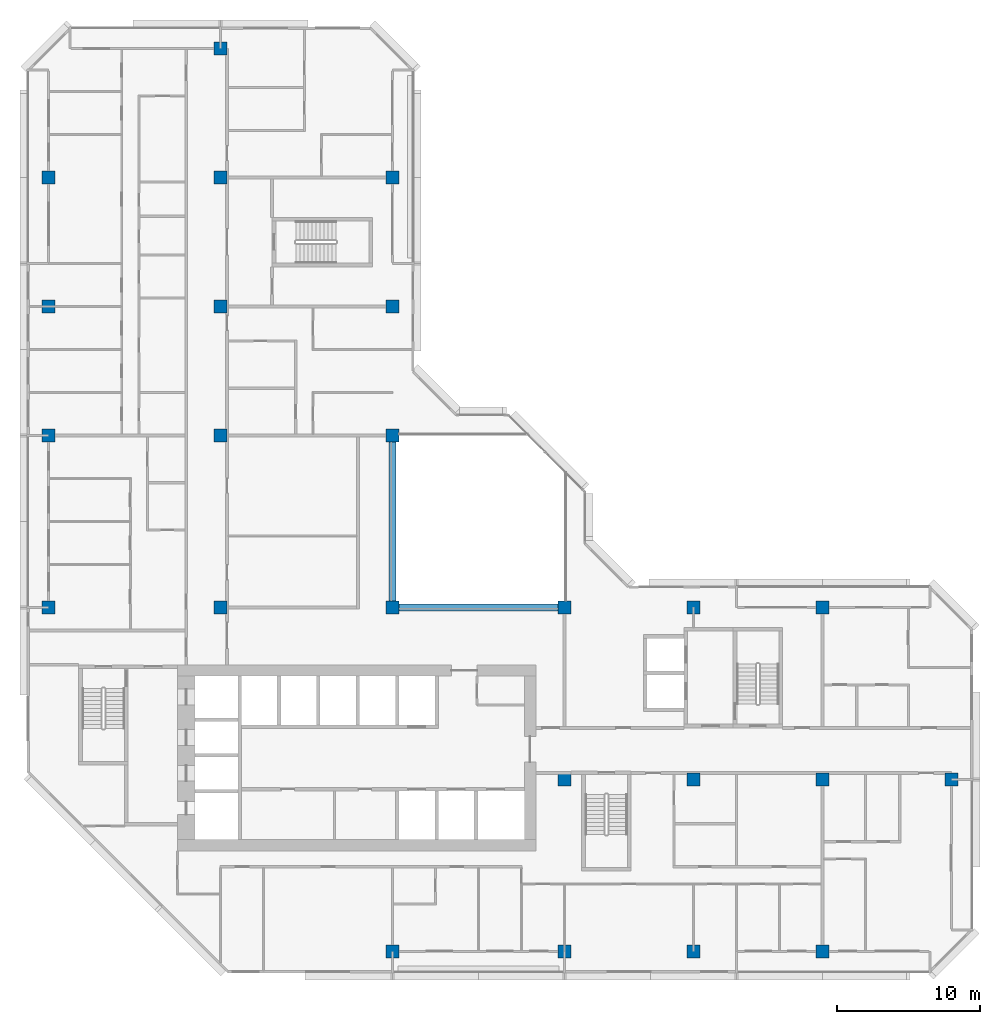
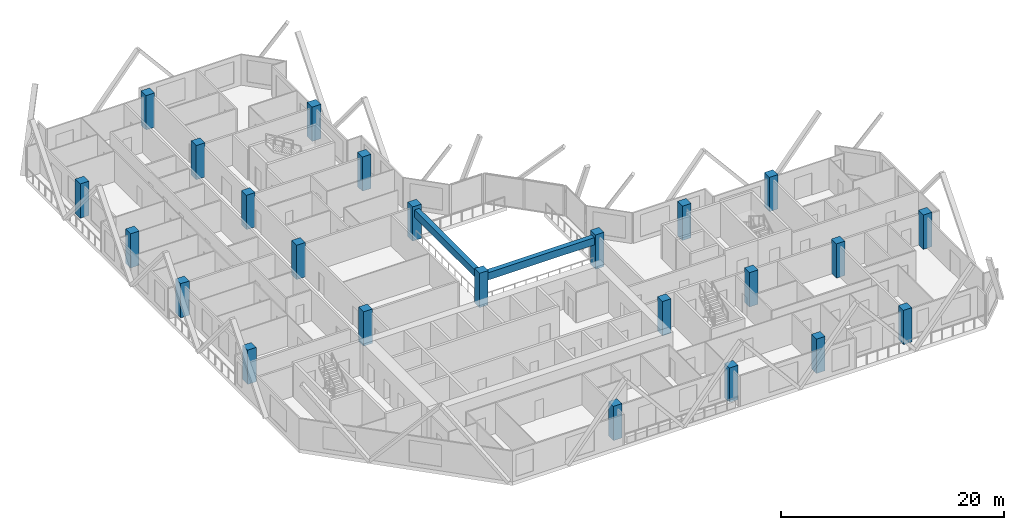
# One storey, part 1 of 14: 24 columns, 2 beams.
"""IFC4 building model written with IfcOpenShell, lengths in metres."""

from ifc_helpers import new_model, si_unit, direction, frame, origin, origin_2d, place, context, subcontext, project, spatial, rectangle, extrude, material, material_profile, profile_set, type_object, element, save


model = new_model("IFC4")

# Units and contexts
model_context = context("Model", 3, precision=1e-05, world=origin(), true_north=direction((0.0, 1.0)))
body_context = subcontext(model_context, "Body", "Model", "MODEL_VIEW")
ifc_project = project(units=[si_unit("LENGTHUNIT", "METRE"), si_unit("AREAUNIT", "SQUARE_METRE"), si_unit("VOLUMEUNIT", "CUBIC_METRE"), si_unit("PLANEANGLEUNIT", "RADIAN"), si_unit("MASSUNIT", "GRAM", prefix="KILO")], contexts=[model_context])

# Site, building, storey
site_placement = place(None, origin())
site = spatial("IfcSite", under=ifc_project, at=site_placement, CompositionType="ELEMENT")
building_placement = place(site_placement, origin())
building = spatial("IfcBuilding", under=site, at=building_placement, Name="Chenar Terraces", CompositionType="ELEMENT")
storey_placement = place(building_placement, frame((0.0, 0.0, 157.39990234375)))
storey = spatial("IfcBuildingStorey", under=building, at=storey_placement, Name="L35", CompositionType="ELEMENT", Elevation=157.39990234375)

# Columns
ifc_material_1 = material(Name="Concrete C60/75", Category="concrete")
ifc_material_profile_1 = material_profile(ifc_material_1, rectangle(XDim=0.89990234375, YDim=0.89990234375, at=origin_2d()), Name="C 900 x 900")
ifc_profile_set_1 = profile_set([ifc_material_profile_1], Name="Concrete C60/75")
column_type = type_object("IfcColumnType", Name="Column C 900 x 900 Concrete C60/75", PredefinedType="COLUMN", material=ifc_profile_set_1)
column_1_placement = place(storey_placement, frame((0.0, 24.0, 0.0), z_axis=(0.0, 0.0, 1.0), x_axis=(1.0, 0.0, 0.0)))
element("IfcColumn", 1, at=column_1_placement, inside=storey, type_object=column_type, Name="Column 5/G L35", PredefinedType="COLUMN", context=body_context, shape_type="SweptSolid", body=[
    extrude(rectangle(XDim=0.89990234375, YDim=0.89990234375, at=origin_2d()), origin(), (0.0, 0.0, 1.0), 3.75),
])
column_2_placement = place(storey_placement, frame((0.0, 36.0, 0.0), z_axis=(0.0, 0.0, 1.0), x_axis=(1.0, 0.0, 0.0)))
element("IfcColumn", 2, at=column_2_placement, inside=storey, type_object=column_type, Name="Column 5/H L35", PredefinedType="COLUMN", context=body_context, shape_type="SweptSolid", body=[
    extrude(rectangle(XDim=0.89990234375, YDim=0.89990234375, at=origin_2d()), origin(), (0.0, 0.0, 1.0), 3.75),
])
for number, where, z_axis, x_axis, name in (
    (3, (0.0, 45.0, 0.0), (0.0, 0.0, 1.0), (1.0, 0.0, 0.0), "Column 5/J L35"),
    (4, (0.0, 54.0, 0.0), (0.0, 0.0, 1.0), (1.0, 0.0, 0.0), "Column 5/K L35"),
    (5, (12.0, 24.0, 0.0), (0.0, 0.0, 1.0), (1.0, 0.0, 0.0), "Column 6/G L35"),
    (6, (12.0, 36.0, 0.0), (0.0, 0.0, 1.0), (1.0, 0.0, 0.0), "Column 6/H L35"),
    (7, (12.0, 45.0, 0.0), (0.0, 0.0, 1.0), (1.0, 0.0, 0.0), "Column 6/J L35"),
    (8, (12.0, 54.0, 0.0), (0.0, 0.0, 1.0), (1.0, 0.0, 0.0), "Column 6/K L35"),
    (9, (12.0, 63.0, 0.0), (0.0, 0.0, 1.0), (1.0, 0.0, 0.0), "Column 6/L L35"),
    (10, (24.0, 0.0, 0.0), (0.0, 0.0, 1.0), (1.0, 0.0, 0.0), "Column 7/E L35"),
    (11, (24.0, 24.0, 0.0), (0.0, 0.0, 1.0), (1.0, 0.0, 0.0), "Column 7/G L35"),
    (12, (24.0, 36.0, 0.0), (0.0, 0.0, 1.0), (1.0, 0.0, 0.0), "Column 7/H L35"),
    (13, (24.0, 45.0, 0.0), (0.0, 0.0, 1.0), (1.0, 0.0, 0.0), "Column 7/J L35"),
    (14, (24.0, 54.0, 0.0), (0.0, 0.0, 1.0), (1.0, 0.0, 0.0), "Column 7/K L35"),
    (15, (36.0, 0.0, 0.0), (0.0, 0.0, 1.0), (1.0, 0.0, 0.0), "Column 8/E L35"),
    (16, (36.0, 12.0, 0.0), (0.0, 0.0, 1.0), (1.0, 0.0, 0.0), "Column 8/F L35"),
    (17, (36.0, 24.0, 0.0), (0.0, 0.0, 1.0), (1.0, 0.0, 0.0), "Column 8/G L35"),
    (18, (45.0, 0.0, 0.0), (0.0, 0.0, 1.0), (1.0, 0.0, 0.0), "Column 9/E L35"),
    (19, (45.0, 12.0, 0.0), (0.0, 0.0, 1.0), (1.0, 0.0, 0.0), "Column 9/F L35"),
    (20, (45.0, 24.0, 0.0), (0.0, 0.0, 1.0), (1.0, 0.0, 0.0), "Column 9/G L35"),
    (21, (54.0, 0.0, 0.0), (0.0, 0.0, 1.0), (1.0, 0.0, 0.0), "Column 10/E L35"),
    (22, (54.0, 12.0, 0.0), (0.0, 0.0, 1.0), (1.0, 0.0, 0.0), "Column 10/F L35"),
    (23, (54.0, 24.0, 0.0), (0.0, 0.0, 1.0), (1.0, 0.0, 0.0), "Column 10/G L35"),
    (24, (63.0, 12.0, 0.0), (0.0, 0.0, 1.0), (1.0, 0.0, 0.0), "Column 11/F L35"),
):
    element("IfcColumn", number, at=place(storey_placement, frame(where, z_axis=z_axis, x_axis=x_axis)), inside=storey, type_object=column_type, Name=name, PredefinedType="COLUMN", context=body_context, shape_type="SweptSolid", body=[
        extrude(rectangle(XDim=0.89990234375, YDim=0.89990234375, at=origin_2d()), origin(), (0.0, 0.0, 1.0), 3.75),
    ])

# Beams
ifc_material_2 = material(Name="Concrete C40/50", Category="concrete")
ifc_material_profile_2 = material_profile(ifc_material_2, rectangle(XDim=0.5, YDim=0.800048828125, at=origin_2d()), Name="RC 500 x 800")
ifc_profile_set_2 = profile_set([ifc_material_profile_2], Name="Concrete C40/50")
beam_type = type_object("IfcBeamType", Name="Atrium edge beam 500 x 800 Concrete C40/50", PredefinedType="BEAM", material=ifc_profile_set_2)
for number, where, z_axis, x_axis, name in (
    (25, (24.449951171875, 24.0, 2.9501953125), (1.0, 0.0, 0.0), (0.0, 1.0, 0.0), "Atrium edge beam L36 1"),
    (26, (24.0, 35.550048828125, 2.9501953125), (0.0, -1.0, 0.0), (1.0, 0.0, 0.0), "Atrium edge beam L36 4"),
):
    element("IfcBeam", number, at=place(storey_placement, frame(where, z_axis=z_axis, x_axis=x_axis)), inside=storey, type_object=beam_type, Name=name, PredefinedType="BEAM", context=body_context, shape_type="SweptSolid", body=[
        extrude(rectangle(XDim=0.5, YDim=0.800048828125, at=origin_2d()), origin(), (0.0, 0.0, 1.0), 11.10009765625),
    ])

save(model, "model.ifc")
